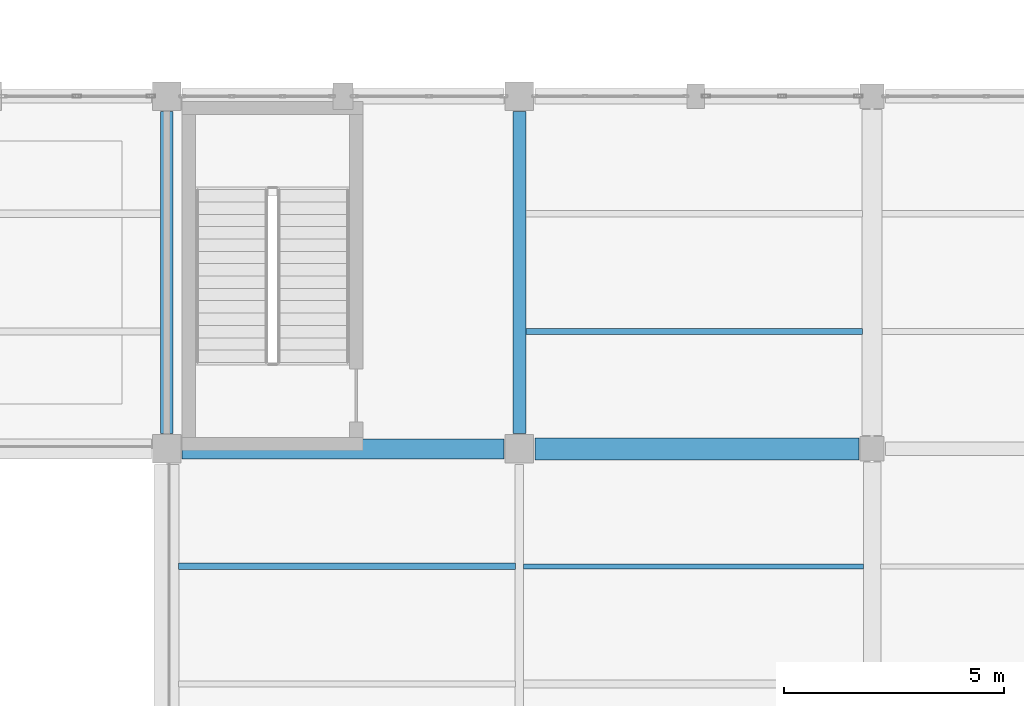
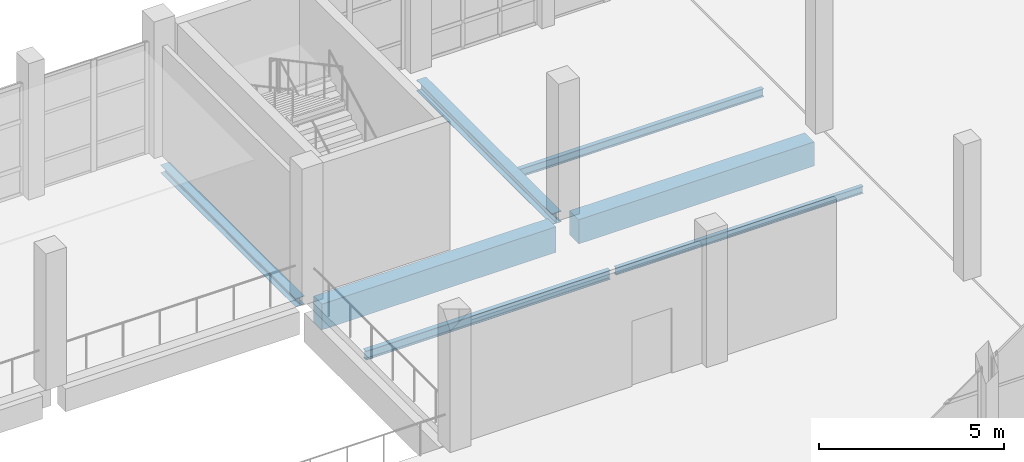
# One storey, part 31 of 183: 7 beams.
"""IFC4 building model written with IfcOpenShell, lengths in metres."""

from ifc_helpers import new_model, si_unit, direction, frame, origin, origin_2d, place, context, subcontext, project, spatial, rectangle, i_section, extrude, material, material_profile, profile_set, type_object, element, save


model = new_model("IFC4")

# Units and contexts
model_context = context("Model", 3, precision=1e-05, world=origin(), true_north=direction((0.0, 1.0)))
body_context = subcontext(model_context, "Body", "Model", "MODEL_VIEW")
ifc_project = project(units=[si_unit("LENGTHUNIT", "METRE"), si_unit("AREAUNIT", "SQUARE_METRE"), si_unit("VOLUMEUNIT", "CUBIC_METRE"), si_unit("PLANEANGLEUNIT", "RADIAN"), si_unit("MASSUNIT", "GRAM", prefix="KILO")], contexts=[model_context])

# Site, building, storey
site_placement = place(None, origin())
site = spatial("IfcSite", under=ifc_project, at=site_placement, CompositionType="ELEMENT")
building_placement = place(site_placement, origin())
building = spatial("IfcBuilding", under=site, at=building_placement, Name="Luwemba Playhouse", CompositionType="ELEMENT")
storey_placement = place(building_placement, frame((0.0, 0.0, 4.800048828125)))
storey = spatial("IfcBuildingStorey", under=building, at=storey_placement, Name="L01", CompositionType="ELEMENT", Elevation=4.800048828125)

# Beams
ifc_material_1 = material(Name="Concrete C40/50", Category="concrete")
ifc_material_profile_1 = material_profile(ifc_material_1, rectangle(XDim=0.449951171875, YDim=0.85009765625, at=origin_2d()))
ifc_profile_set_1 = profile_set([ifc_material_profile_1], Name="Concrete C40/50")
beam_type_1 = type_object("IfcBeamType", Name="BM-RB05", PredefinedType="BEAM", material=ifc_profile_set_1)
beam_1_placement = place(storey_placement, frame((36.35009765625, 19.0, -0.675048828125), z_axis=(1.0, 0.0, 0.0), x_axis=(0.0, 1.0, 0.0)))
element("IfcBeam", 1, at=beam_1_placement, inside=storey, type_object=beam_type_1, Name="L01 grid girder 0486", PredefinedType="BEAM", context=body_context, shape_type="SweptSolid", body=[
    extrude(rectangle(XDim=0.449951171875, YDim=0.85009765625, at=origin_2d()), origin(), (0.0, 0.0, 1.0), 7.2998046875),
])
ifc_material_profile_2 = material_profile(ifc_material_1, rectangle(XDim=0.5, YDim=0.800048828125, at=origin_2d()))
ifc_profile_set_2 = profile_set([ifc_material_profile_2], Name="Concrete C40/50")
beam_type_2 = type_object("IfcBeamType", Name="BM-RB06", PredefinedType="BEAM", material=ifc_profile_set_2)
beam_2_placement = place(storey_placement, frame((44.35009765625, 19.0, -0.650146484375), z_axis=(1.0, 0.0, 0.0), x_axis=(0.0, 1.0, 0.0)))
element("IfcBeam", 2, at=beam_2_placement, inside=storey, type_object=beam_type_2, Name="L01 grid girder 0487", PredefinedType="BEAM", context=body_context, shape_type="SweptSolid", body=[
    extrude(rectangle(XDim=0.5, YDim=0.800048828125, at=origin_2d()), origin(), (0.0, 0.0, 1.0), 7.349853515625),
])
ifc_material_2 = material(Name="Steel S355", Category="steel")
ifc_material_profile_3 = material_profile(ifc_material_2, i_section(OverallWidth=0.280029296875, OverallDepth=0.27001953125, WebThickness=0.008056640625, FlangeThickness=0.012939453125, FilletRadius=0.02392578125, at=origin_2d()))
ifc_profile_set_3 = profile_set([ifc_material_profile_3], Name="Steel S355")
beam_type_3 = type_object("IfcBeamType", Name="BM-SB02", PredefinedType="BEAM", material=ifc_profile_set_3)
beam_3_placement = place(storey_placement, frame((36.0, 19.35009765625, -0.385009765625), z_axis=(0.0, 1.0, 0.0), x_axis=(-1.0, 0.0, 0.0)))
element("IfcBeam", 3, at=beam_3_placement, inside=storey, type_object=beam_type_3, Name="L01 transverse girder 0509", PredefinedType="BEAM", context=body_context, shape_type="SweptSolid", body=[
    extrude(i_section(OverallWidth=0.280029296875, OverallDepth=0.27001953125, WebThickness=0.008056640625, FlangeThickness=0.012939453125, FilletRadius=0.02392578125, at=origin_2d()), origin(), (0.0, 0.0, 1.0), 7.2998046875),
])
ifc_material_profile_4 = material_profile(ifc_material_2, i_section(OverallWidth=0.300048828125, OverallDepth=0.360107421875, WebThickness=0.012451171875, FlangeThickness=0.0224609375, FilletRadius=0.027099609375, at=origin_2d()))
ifc_profile_set_4 = profile_set([ifc_material_profile_4], Name="Steel S355")
beam_type_4 = type_object("IfcBeamType", Name="BM-SB09", PredefinedType="BEAM", material=ifc_profile_set_4)
beam_4_placement = place(storey_placement, frame((44.0, 19.35009765625, -0.429931640625), z_axis=(0.0, 1.0, 0.0), x_axis=(-1.0, 0.0, 0.0)))
element("IfcBeam", 4, at=beam_4_placement, inside=storey, type_object=beam_type_4, Name="L01 transverse girder 0512", PredefinedType="BEAM", context=body_context, shape_type="SweptSolid", body=[
    extrude(i_section(OverallWidth=0.300048828125, OverallDepth=0.360107421875, WebThickness=0.012451171875, FlangeThickness=0.0224609375, FilletRadius=0.027099609375, at=origin_2d()), origin(), (0.0, 0.0, 1.0), 7.2998046875),
])
ifc_material_profile_5 = material_profile(ifc_material_2, i_section(OverallWidth=0.1201171875, OverallDepth=0.239990234375, WebThickness=0.006103515625, FlangeThickness=0.009765625, FilletRadius=0.014892578125, at=origin_2d()))
ifc_profile_set_5 = profile_set([ifc_material_profile_5], Name="Steel S355")
beam_type_5 = type_object("IfcBeamType", Name="BM-SJ03", PredefinedType="JOIST", material=ifc_profile_set_5)
beam_5_placement = place(storey_placement, frame((44.091064453125, 16.333251953125, -0.3701171875), z_axis=(1.0, 0.0, 0.0), x_axis=(0.0, 1.0, 0.0)))
element("IfcBeam", 5, at=beam_5_placement, inside=storey, type_object=beam_type_5, Name="L01 composite floor joist 0298", PredefinedType="JOIST", context=body_context, shape_type="SweptSolid", body=[
    extrude(i_section(OverallWidth=0.1201171875, OverallDepth=0.239990234375, WebThickness=0.006103515625, FlangeThickness=0.009765625, FilletRadius=0.014892578125, at=origin_2d()), origin(), (0.0, 0.0, 1.0), 7.712890625),
])
ifc_material_profile_6 = material_profile(ifc_material_2, i_section(OverallWidth=0.135009765625, OverallDepth=0.27001953125, WebThickness=0.006591796875, FlangeThickness=0.01025390625, FilletRadius=0.014892578125, at=origin_2d()))
ifc_profile_set_6 = profile_set([ifc_material_profile_6], Name="Steel S355")
beam_type_6 = type_object("IfcBeamType", Name="BM-SJ04", PredefinedType="JOIST", material=ifc_profile_set_6)
beam_6_placement = place(storey_placement, frame((44.14599609375, 21.666748046875, -0.385009765625), z_axis=(1.0, 0.0, 0.0), x_axis=(0.0, 1.0, 0.0)))
element("IfcBeam", 6, at=beam_6_placement, inside=storey, type_object=beam_type_6, Name="L01 composite floor joist 0299", PredefinedType="JOIST", context=body_context, shape_type="SweptSolid", body=[
    extrude(i_section(OverallWidth=0.135009765625, OverallDepth=0.27001953125, WebThickness=0.006591796875, FlangeThickness=0.01025390625, FilletRadius=0.014892578125, at=origin_2d()), origin(), (0.0, 0.0, 1.0), 7.633056640625),
])
ifc_material_profile_7 = material_profile(ifc_material_2, i_section(OverallWidth=0.14990234375, OverallDepth=0.300048828125, WebThickness=0.007080078125, FlangeThickness=0.0107421875, FilletRadius=0.014892578125, at=origin_2d()))
ifc_profile_set_7 = profile_set([ifc_material_profile_7], Name="Steel S355")
beam_type_7 = type_object("IfcBeamType", Name="BM-SJ05", PredefinedType="JOIST", material=ifc_profile_set_7)
beam_7_placement = place(storey_placement, frame((36.27099609375, 16.333251953125, -0.400146484375), z_axis=(1.0, 0.0, 0.0), x_axis=(0.0, 1.0, 0.0)))
element("IfcBeam", 7, at=beam_7_placement, inside=storey, type_object=beam_type_7, Name="L01 composite floor joist 0294", PredefinedType="JOIST", context=body_context, shape_type="SweptSolid", body=[
    extrude(i_section(OverallWidth=0.14990234375, OverallDepth=0.300048828125, WebThickness=0.007080078125, FlangeThickness=0.0107421875, FilletRadius=0.014892578125, at=origin_2d()), origin(), (0.0, 0.0, 1.0), 7.637939453125),
])

save(model, "model.ifc")
